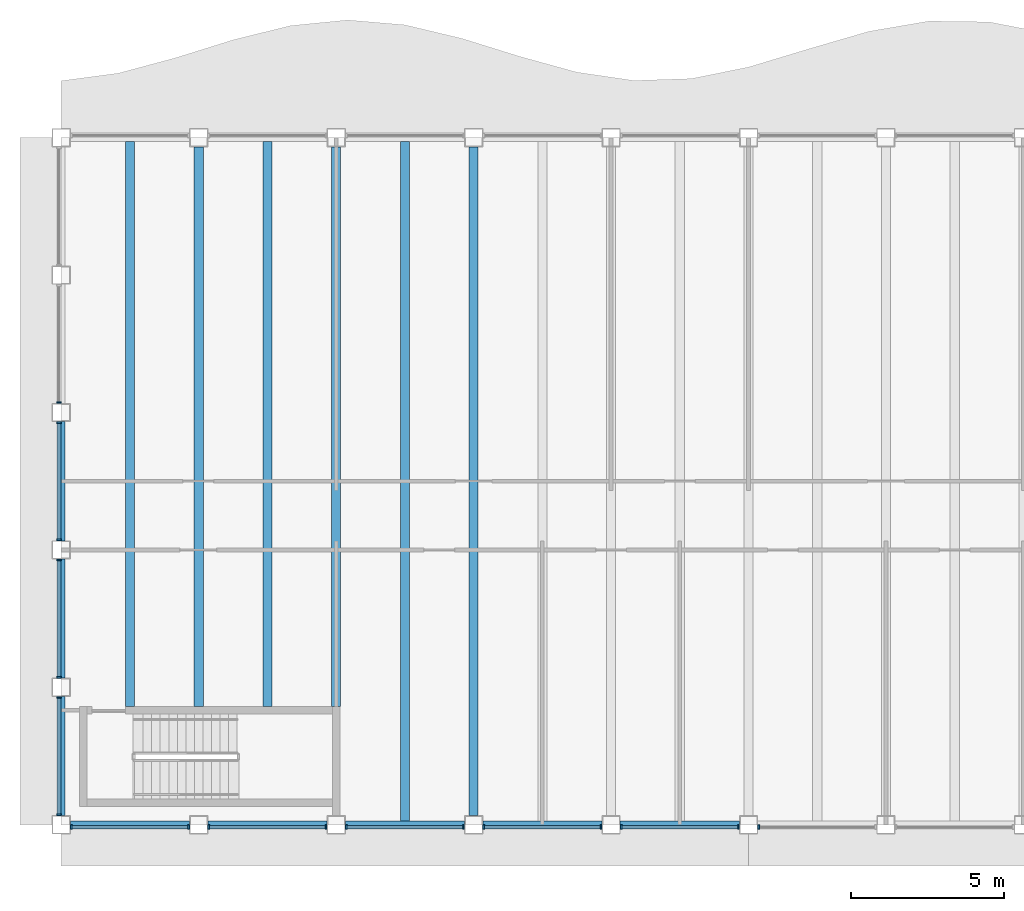
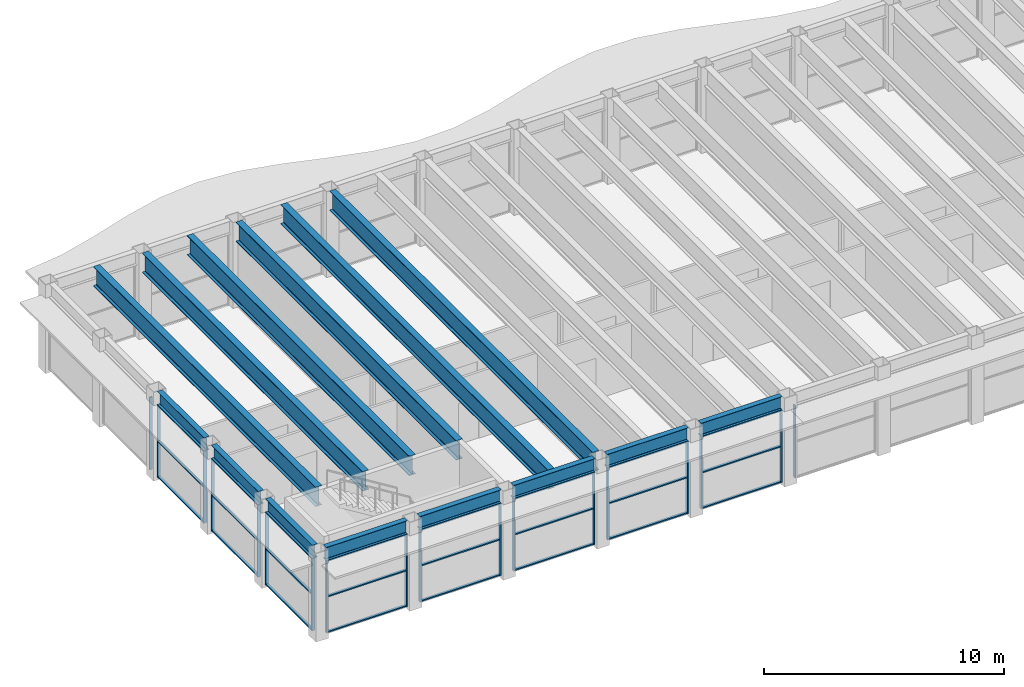
# One storey, part 2 of 14: 42 members, 14 beams, 10 elements without a shape of their own.
"""IFC4 building model written with IfcOpenShell, lengths in metres."""

from ifc_helpers import new_model, si_unit, direction, frame, origin, origin_2d, place, context, subcontext, project, spatial, rectangle, i_section, extrude, material, material_profile, profile_set, type_object, element, aggregate, save


model = new_model("IFC4")

# Units and contexts
model_context = context("Model", 3, precision=1e-05, world=origin(), true_north=direction((0.0, 1.0)))
body_context = subcontext(model_context, "Body", "Model", "MODEL_VIEW")
ifc_project = project(units=[si_unit("LENGTHUNIT", "METRE"), si_unit("AREAUNIT", "SQUARE_METRE"), si_unit("VOLUMEUNIT", "CUBIC_METRE"), si_unit("PLANEANGLEUNIT", "RADIAN"), si_unit("MASSUNIT", "GRAM", prefix="KILO")], contexts=[model_context])

# Site, building, storey
site_placement = place(None, origin())
site = spatial("IfcSite", under=ifc_project, at=site_placement, CompositionType="ELEMENT")
building_placement = place(site_placement, origin())
building = spatial("IfcBuilding", under=site, at=building_placement, Name="Sennacour Bend Tower", CompositionType="ELEMENT")
storey_placement = place(building_placement, frame((0.0, 0.0, 327.5)))
storey = spatial("IfcBuildingStorey", under=building, at=storey_placement, Name="L75", CompositionType="ELEMENT", Elevation=327.5)

# Curtain wall, members
ifc_material_1 = material(Name="Bronze anodised aluminium curtain wall with clear glass", Category="aluminium")
curtain_wall_type = type_object("IfcCurtainWallType", Name="CURTAIN WALL EXEC", PredefinedType="NOTDEFINED", material=ifc_material_1)
curtain_wall_1_placement = place(storey_placement, origin())
curtain_wall_1 = element("IfcCurtainWall", 1, at=curtain_wall_1_placement, inside=storey, type_object=curtain_wall_type, Name="Executive floor glass wall L75", PredefinedType="NOTDEFINED")
ifc_material_2 = material(Name="Aluminium 6063-T6", Category="aluminium")
ifc_material_profile_1 = material_profile(ifc_material_2, rectangle(XDim=0.14990234375, YDim=0.06005859375, at=origin_2d()), Name="Aluminium 6063-T6", Category="aluminium")
ifc_profile_set_1 = profile_set([ifc_material_profile_1], Name="Aluminium 6063-T6")
member_type_1 = type_object("IfcMemberType", Name="CW-MULLION-150X60", PredefinedType="MULLION", material=ifc_profile_set_1)
member_1_placement = place(storey_placement, frame((0.330078125, -0.074951171875, 0.0), z_axis=(0.0, 0.0, 1.0), x_axis=(0.0, 1.0, 0.0)))
member_1 = element("IfcMember", 2, at=member_1_placement, type_object=member_type_1, Name="GW3 curtain wall mullion 1", PredefinedType="MULLION", context=body_context, shape_type="SweptSolid", body=[
    extrude(rectangle(XDim=0.14990234375, YDim=0.06005859375, at=origin_2d()), origin(), (0.0, 0.0, 1.0), 3.672119140625),
])
member_2_placement = place(storey_placement, frame((4.169921875, -0.074951171875, 0.0), z_axis=(0.0, 0.0, 1.0), x_axis=(0.0, 1.0, 0.0)))
member_2 = element("IfcMember", 3, at=member_2_placement, type_object=member_type_1, Name="GW3 curtain wall mullion 2", PredefinedType="MULLION", context=body_context, shape_type="SweptSolid", body=[
    extrude(rectangle(XDim=0.14990234375, YDim=0.06005859375, at=origin_2d()), origin(), (0.0, 0.0, 1.0), 3.672119140625),
])

curtain_wall_2_placement = place(storey_placement, origin())
curtain_wall_2 = element("IfcCurtainWall", 4, at=curtain_wall_2_placement, inside=storey, type_object=curtain_wall_type, Name="Executive floor glass wall L75", PredefinedType="NOTDEFINED")
member_3_placement = place(storey_placement, frame((4.830078125, -0.074951171875, 0.0), z_axis=(0.0, 0.0, 1.0), x_axis=(0.0, 1.0, 0.0)))
member_3 = element("IfcMember", 5, at=member_3_placement, type_object=member_type_1, Name="GW3 curtain wall mullion 1", PredefinedType="MULLION", context=body_context, shape_type="SweptSolid", body=[
    extrude(rectangle(XDim=0.14990234375, YDim=0.06005859375, at=origin_2d()), origin(), (0.0, 0.0, 1.0), 3.672119140625),
])
member_4_placement = place(storey_placement, frame((8.669921875, -0.074951171875, 0.0), z_axis=(0.0, 0.0, 1.0), x_axis=(0.0, 1.0, 0.0)))
member_4 = element("IfcMember", 6, at=member_4_placement, type_object=member_type_1, Name="GW3 curtain wall mullion 2", PredefinedType="MULLION", context=body_context, shape_type="SweptSolid", body=[
    extrude(rectangle(XDim=0.14990234375, YDim=0.06005859375, at=origin_2d()), origin(), (0.0, 0.0, 1.0), 3.672119140625),
])

curtain_wall_3_placement = place(storey_placement, origin())
curtain_wall_3 = element("IfcCurtainWall", 7, at=curtain_wall_3_placement, inside=storey, type_object=curtain_wall_type, Name="Executive floor glass wall L75", PredefinedType="NOTDEFINED")
member_5_placement = place(storey_placement, frame((9.330078125, -0.074951171875, 0.0), z_axis=(0.0, 0.0, 1.0), x_axis=(0.0, 1.0, 0.0)))
member_5 = element("IfcMember", 8, at=member_5_placement, type_object=member_type_1, Name="GW3 curtain wall mullion 1", PredefinedType="MULLION", context=body_context, shape_type="SweptSolid", body=[
    extrude(rectangle(XDim=0.14990234375, YDim=0.06005859375, at=origin_2d()), origin(), (0.0, 0.0, 1.0), 3.672119140625),
])
member_6_placement = place(storey_placement, frame((13.169921875, -0.074951171875, 0.0), z_axis=(0.0, 0.0, 1.0), x_axis=(0.0, 1.0, 0.0)))
member_6 = element("IfcMember", 9, at=member_6_placement, type_object=member_type_1, Name="GW3 curtain wall mullion 2", PredefinedType="MULLION", context=body_context, shape_type="SweptSolid", body=[
    extrude(rectangle(XDim=0.14990234375, YDim=0.06005859375, at=origin_2d()), origin(), (0.0, 0.0, 1.0), 3.672119140625),
])

curtain_wall_4_placement = place(storey_placement, origin())
curtain_wall_4 = element("IfcCurtainWall", 10, at=curtain_wall_4_placement, inside=storey, type_object=curtain_wall_type, Name="Executive floor glass wall L75", PredefinedType="NOTDEFINED")
member_7_placement = place(storey_placement, frame((13.830078125, -0.074951171875, 0.0), z_axis=(0.0, 0.0, 1.0), x_axis=(0.0, 1.0, 0.0)))
member_7 = element("IfcMember", 11, at=member_7_placement, type_object=member_type_1, Name="GW3 curtain wall mullion 1", PredefinedType="MULLION", context=body_context, shape_type="SweptSolid", body=[
    extrude(rectangle(XDim=0.14990234375, YDim=0.06005859375, at=origin_2d()), origin(), (0.0, 0.0, 1.0), 3.672119140625),
])
member_8_placement = place(storey_placement, frame((17.669921875, -0.074951171875, 0.0), z_axis=(0.0, 0.0, 1.0), x_axis=(0.0, 1.0, 0.0)))
member_8 = element("IfcMember", 12, at=member_8_placement, type_object=member_type_1, Name="GW3 curtain wall mullion 2", PredefinedType="MULLION", context=body_context, shape_type="SweptSolid", body=[
    extrude(rectangle(XDim=0.14990234375, YDim=0.06005859375, at=origin_2d()), origin(), (0.0, 0.0, 1.0), 3.672119140625),
])

curtain_wall_5_placement = place(storey_placement, origin())
curtain_wall_5 = element("IfcCurtainWall", 13, at=curtain_wall_5_placement, inside=storey, type_object=curtain_wall_type, Name="Executive floor glass wall L75", PredefinedType="NOTDEFINED")
member_9_placement = place(storey_placement, frame((18.330078125, -0.074951171875, 0.0), z_axis=(0.0, 0.0, 1.0), x_axis=(0.0, 1.0, 0.0)))
member_9 = element("IfcMember", 14, at=member_9_placement, type_object=member_type_1, Name="GW3 curtain wall mullion 1", PredefinedType="MULLION", context=body_context, shape_type="SweptSolid", body=[
    extrude(rectangle(XDim=0.14990234375, YDim=0.06005859375, at=origin_2d()), origin(), (0.0, 0.0, 1.0), 3.672119140625),
])
member_10_placement = place(storey_placement, frame((22.169921875, -0.074951171875, 0.0), z_axis=(0.0, 0.0, 1.0), x_axis=(0.0, 1.0, 0.0)))
member_10 = element("IfcMember", 15, at=member_10_placement, type_object=member_type_1, Name="GW3 curtain wall mullion 2", PredefinedType="MULLION", context=body_context, shape_type="SweptSolid", body=[
    extrude(rectangle(XDim=0.14990234375, YDim=0.06005859375, at=origin_2d()), origin(), (0.0, 0.0, 1.0), 3.672119140625),
])

# Curtain wall, member
curtain_wall_6_placement = place(storey_placement, origin())
curtain_wall_6 = element("IfcCurtainWall", 16, at=curtain_wall_6_placement, inside=storey, type_object=curtain_wall_type, Name="Executive floor glass wall L75", PredefinedType="NOTDEFINED")
member_11_placement = place(storey_placement, frame((22.830078125, -0.074951171875, 0.0), z_axis=(0.0, 0.0, 1.0), x_axis=(0.0, 1.0, 0.0)))
member_11 = element("IfcMember", 17, at=member_11_placement, type_object=member_type_1, Name="GW3 curtain wall mullion 1", PredefinedType="MULLION", context=body_context, shape_type="SweptSolid", body=[
    extrude(rectangle(XDim=0.14990234375, YDim=0.06005859375, at=origin_2d()), origin(), (0.0, 0.0, 1.0), 3.672119140625),
])
aggregate(curtain_wall_6, [member_11])

curtain_wall_7_placement = place(storey_placement, origin())
curtain_wall_7 = element("IfcCurtainWall", 18, at=curtain_wall_7_placement, inside=storey, type_object=curtain_wall_type, Name="Executive floor glass wall L75", PredefinedType="NOTDEFINED")
member_12_placement = place(storey_placement, frame((-0.074951171875, 13.830078125, 0.0), z_axis=(0.0, 0.0, 1.0), x_axis=(1.0, 0.0, 0.0)))
member_12 = element("IfcMember", 19, at=member_12_placement, type_object=member_type_1, Name="GW3 curtain wall mullion 2", PredefinedType="MULLION", context=body_context, shape_type="SweptSolid", body=[
    extrude(rectangle(XDim=0.14990234375, YDim=0.06005859375, at=origin_2d()), origin(), (0.0, 0.0, 1.0), 3.672119140625),
])
aggregate(curtain_wall_7, [member_12])

# Curtain wall, members
curtain_wall_8_placement = place(storey_placement, origin())
curtain_wall_8 = element("IfcCurtainWall", 20, at=curtain_wall_8_placement, inside=storey, type_object=curtain_wall_type, Name="Executive floor glass wall L75", PredefinedType="NOTDEFINED")
member_13_placement = place(storey_placement, frame((-0.074951171875, 13.169921875, 0.0), z_axis=(0.0, 0.0, 1.0), x_axis=(1.0, 0.0, 0.0)))
member_13 = element("IfcMember", 21, at=member_13_placement, type_object=member_type_1, Name="GW3 curtain wall mullion 1", PredefinedType="MULLION", context=body_context, shape_type="SweptSolid", body=[
    extrude(rectangle(XDim=0.14990234375, YDim=0.06005859375, at=origin_2d()), origin(), (0.0, 0.0, 1.0), 3.672119140625),
])
member_14_placement = place(storey_placement, frame((-0.074951171875, 9.330078125, 0.0), z_axis=(0.0, 0.0, 1.0), x_axis=(1.0, 0.0, 0.0)))
member_14 = element("IfcMember", 22, at=member_14_placement, type_object=member_type_1, Name="GW3 curtain wall mullion 2", PredefinedType="MULLION", context=body_context, shape_type="SweptSolid", body=[
    extrude(rectangle(XDim=0.14990234375, YDim=0.06005859375, at=origin_2d()), origin(), (0.0, 0.0, 1.0), 3.672119140625),
])

curtain_wall_9_placement = place(storey_placement, origin())
curtain_wall_9 = element("IfcCurtainWall", 23, at=curtain_wall_9_placement, inside=storey, type_object=curtain_wall_type, Name="Executive floor glass wall L75", PredefinedType="NOTDEFINED")
member_15_placement = place(storey_placement, frame((-0.074951171875, 8.669921875, 0.0), z_axis=(0.0, 0.0, 1.0), x_axis=(1.0, 0.0, 0.0)))
member_15 = element("IfcMember", 24, at=member_15_placement, type_object=member_type_1, Name="GW3 curtain wall mullion 1", PredefinedType="MULLION", context=body_context, shape_type="SweptSolid", body=[
    extrude(rectangle(XDim=0.14990234375, YDim=0.06005859375, at=origin_2d()), origin(), (0.0, 0.0, 1.0), 3.672119140625),
])
member_16_placement = place(storey_placement, frame((-0.074951171875, 4.830078125, 0.0), z_axis=(0.0, 0.0, 1.0), x_axis=(1.0, 0.0, 0.0)))
member_16 = element("IfcMember", 25, at=member_16_placement, type_object=member_type_1, Name="GW3 curtain wall mullion 2", PredefinedType="MULLION", context=body_context, shape_type="SweptSolid", body=[
    extrude(rectangle(XDim=0.14990234375, YDim=0.06005859375, at=origin_2d()), origin(), (0.0, 0.0, 1.0), 3.672119140625),
])

curtain_wall_10_placement = place(storey_placement, origin())
curtain_wall_10 = element("IfcCurtainWall", 26, at=curtain_wall_10_placement, inside=storey, type_object=curtain_wall_type, Name="Executive floor glass wall L75", PredefinedType="NOTDEFINED")
member_17_placement = place(storey_placement, frame((-0.074951171875, 4.169921875, 0.0), z_axis=(0.0, 0.0, 1.0), x_axis=(1.0, 0.0, 0.0)))
member_17 = element("IfcMember", 27, at=member_17_placement, type_object=member_type_1, Name="GW3 curtain wall mullion 1", PredefinedType="MULLION", context=body_context, shape_type="SweptSolid", body=[
    extrude(rectangle(XDim=0.14990234375, YDim=0.06005859375, at=origin_2d()), origin(), (0.0, 0.0, 1.0), 3.672119140625),
])
member_18_placement = place(storey_placement, frame((-0.074951171875, 0.330078125, 0.0), z_axis=(0.0, 0.0, 1.0), x_axis=(1.0, 0.0, 0.0)))
member_18 = element("IfcMember", 28, at=member_18_placement, type_object=member_type_1, Name="GW3 curtain wall mullion 2", PredefinedType="MULLION", context=body_context, shape_type="SweptSolid", body=[
    extrude(rectangle(XDim=0.14990234375, YDim=0.06005859375, at=origin_2d()), origin(), (0.0, 0.0, 1.0), 3.672119140625),
])

# Member
ifc_material_profile_2 = material_profile(ifc_material_2, rectangle(XDim=0.1201171875, YDim=0.06005859375, at=origin_2d()), Name="Aluminium 6063-T6", Category="aluminium")
ifc_profile_set_2 = profile_set([ifc_material_profile_2], Name="Aluminium 6063-T6")
member_type_2 = type_object("IfcMemberType", Name="CW-TRANSOM-120X60", PredefinedType="USERDEFINED", material=ifc_profile_set_2)
member_19_placement = place(storey_placement, frame((0.360107421875, -0.074951171875, 0.030029296875), z_axis=(1.0, 0.0, 0.0), x_axis=(0.0, 1.0, 0.0)))
member_19 = element("IfcMember", 29, at=member_19_placement, type_object=member_type_2, Name="GW3 curtain wall transom 1.1", ObjectType="TRANSOM", PredefinedType="USERDEFINED", context=body_context, shape_type="SweptSolid", body=[
    extrude(rectangle(XDim=0.1201171875, YDim=0.06005859375, at=origin_2d()), origin(), (0.0, 0.0, 1.0), 3.77978515625),
])

member_20_placement = place(storey_placement, frame((0.360107421875, -0.074951171875, 1.8359375), z_axis=(1.0, 0.0, 0.0), x_axis=(0.0, 1.0, 0.0)))
member_20 = element("IfcMember", 30, at=member_20_placement, type_object=member_type_2, Name="GW3 curtain wall transom 1.2", ObjectType="TRANSOM", PredefinedType="USERDEFINED", context=body_context, shape_type="SweptSolid", body=[
    extrude(rectangle(XDim=0.1201171875, YDim=0.06005859375, at=origin_2d()), origin(), (0.0, 0.0, 1.0), 3.77978515625),
])

member_21_placement = place(storey_placement, frame((0.360107421875, -0.074951171875, 3.64208984375), z_axis=(1.0, 0.0, 0.0), x_axis=(0.0, 1.0, 0.0)))
member_21 = element("IfcMember", 31, at=member_21_placement, type_object=member_type_2, Name="GW3 curtain wall transom 1.3", ObjectType="TRANSOM", PredefinedType="USERDEFINED", context=body_context, shape_type="SweptSolid", body=[
    extrude(rectangle(XDim=0.1201171875, YDim=0.06005859375, at=origin_2d()), origin(), (0.0, 0.0, 1.0), 3.77978515625),
])

aggregate(curtain_wall_1, [member_1, member_2, member_19, member_20, member_21])

member_22_placement = place(storey_placement, frame((4.860107421875, -0.074951171875, 0.030029296875), z_axis=(1.0, 0.0, 0.0), x_axis=(0.0, 1.0, 0.0)))
member_22 = element("IfcMember", 32, at=member_22_placement, type_object=member_type_2, Name="GW3 curtain wall transom 1.1", ObjectType="TRANSOM", PredefinedType="USERDEFINED", context=body_context, shape_type="SweptSolid", body=[
    extrude(rectangle(XDim=0.1201171875, YDim=0.06005859375, at=origin_2d()), origin(), (0.0, 0.0, 1.0), 3.77978515625),
])

member_23_placement = place(storey_placement, frame((4.860107421875, -0.074951171875, 1.8359375), z_axis=(1.0, 0.0, 0.0), x_axis=(0.0, 1.0, 0.0)))
member_23 = element("IfcMember", 33, at=member_23_placement, type_object=member_type_2, Name="GW3 curtain wall transom 1.2", ObjectType="TRANSOM", PredefinedType="USERDEFINED", context=body_context, shape_type="SweptSolid", body=[
    extrude(rectangle(XDim=0.1201171875, YDim=0.06005859375, at=origin_2d()), origin(), (0.0, 0.0, 1.0), 3.77978515625),
])

member_24_placement = place(storey_placement, frame((4.860107421875, -0.074951171875, 3.64208984375), z_axis=(1.0, 0.0, 0.0), x_axis=(0.0, 1.0, 0.0)))
member_24 = element("IfcMember", 34, at=member_24_placement, type_object=member_type_2, Name="GW3 curtain wall transom 1.3", ObjectType="TRANSOM", PredefinedType="USERDEFINED", context=body_context, shape_type="SweptSolid", body=[
    extrude(rectangle(XDim=0.1201171875, YDim=0.06005859375, at=origin_2d()), origin(), (0.0, 0.0, 1.0), 3.77978515625),
])

aggregate(curtain_wall_2, [member_3, member_4, member_22, member_23, member_24])

member_25_placement = place(storey_placement, frame((9.360107421875, -0.074951171875, 0.030029296875), z_axis=(1.0, 0.0, 0.0), x_axis=(0.0, 1.0, 0.0)))
member_25 = element("IfcMember", 35, at=member_25_placement, type_object=member_type_2, Name="GW3 curtain wall transom 1.1", ObjectType="TRANSOM", PredefinedType="USERDEFINED", context=body_context, shape_type="SweptSolid", body=[
    extrude(rectangle(XDim=0.1201171875, YDim=0.06005859375, at=origin_2d()), origin(), (0.0, 0.0, 1.0), 3.77978515625),
])

member_26_placement = place(storey_placement, frame((9.360107421875, -0.074951171875, 1.8359375), z_axis=(1.0, 0.0, 0.0), x_axis=(0.0, 1.0, 0.0)))
member_26 = element("IfcMember", 36, at=member_26_placement, type_object=member_type_2, Name="GW3 curtain wall transom 1.2", ObjectType="TRANSOM", PredefinedType="USERDEFINED", context=body_context, shape_type="SweptSolid", body=[
    extrude(rectangle(XDim=0.1201171875, YDim=0.06005859375, at=origin_2d()), origin(), (0.0, 0.0, 1.0), 3.77978515625),
])

member_27_placement = place(storey_placement, frame((9.360107421875, -0.074951171875, 3.64208984375), z_axis=(1.0, 0.0, 0.0), x_axis=(0.0, 1.0, 0.0)))
member_27 = element("IfcMember", 37, at=member_27_placement, type_object=member_type_2, Name="GW3 curtain wall transom 1.3", ObjectType="TRANSOM", PredefinedType="USERDEFINED", context=body_context, shape_type="SweptSolid", body=[
    extrude(rectangle(XDim=0.1201171875, YDim=0.06005859375, at=origin_2d()), origin(), (0.0, 0.0, 1.0), 3.77978515625),
])

aggregate(curtain_wall_3, [member_5, member_6, member_25, member_26, member_27])

member_28_placement = place(storey_placement, frame((13.860107421875, -0.074951171875, 0.030029296875), z_axis=(1.0, 0.0, 0.0), x_axis=(0.0, 1.0, 0.0)))
member_28 = element("IfcMember", 38, at=member_28_placement, type_object=member_type_2, Name="GW3 curtain wall transom 1.1", ObjectType="TRANSOM", PredefinedType="USERDEFINED", context=body_context, shape_type="SweptSolid", body=[
    extrude(rectangle(XDim=0.1201171875, YDim=0.06005859375, at=origin_2d()), origin(), (0.0, 0.0, 1.0), 3.77978515625),
])

member_29_placement = place(storey_placement, frame((13.860107421875, -0.074951171875, 1.8359375), z_axis=(1.0, 0.0, 0.0), x_axis=(0.0, 1.0, 0.0)))
member_29 = element("IfcMember", 39, at=member_29_placement, type_object=member_type_2, Name="GW3 curtain wall transom 1.2", ObjectType="TRANSOM", PredefinedType="USERDEFINED", context=body_context, shape_type="SweptSolid", body=[
    extrude(rectangle(XDim=0.1201171875, YDim=0.06005859375, at=origin_2d()), origin(), (0.0, 0.0, 1.0), 3.77978515625),
])

member_30_placement = place(storey_placement, frame((13.860107421875, -0.074951171875, 3.64208984375), z_axis=(1.0, 0.0, 0.0), x_axis=(0.0, 1.0, 0.0)))
member_30 = element("IfcMember", 40, at=member_30_placement, type_object=member_type_2, Name="GW3 curtain wall transom 1.3", ObjectType="TRANSOM", PredefinedType="USERDEFINED", context=body_context, shape_type="SweptSolid", body=[
    extrude(rectangle(XDim=0.1201171875, YDim=0.06005859375, at=origin_2d()), origin(), (0.0, 0.0, 1.0), 3.77978515625),
])

aggregate(curtain_wall_4, [member_7, member_8, member_28, member_29, member_30])

member_31_placement = place(storey_placement, frame((18.360107421875, -0.074951171875, 0.030029296875), z_axis=(1.0, 0.0, 0.0), x_axis=(0.0, 1.0, 0.0)))
member_31 = element("IfcMember", 41, at=member_31_placement, type_object=member_type_2, Name="GW3 curtain wall transom 1.1", ObjectType="TRANSOM", PredefinedType="USERDEFINED", context=body_context, shape_type="SweptSolid", body=[
    extrude(rectangle(XDim=0.1201171875, YDim=0.06005859375, at=origin_2d()), origin(), (0.0, 0.0, 1.0), 3.77978515625),
])

member_32_placement = place(storey_placement, frame((18.360107421875, -0.074951171875, 1.8359375), z_axis=(1.0, 0.0, 0.0), x_axis=(0.0, 1.0, 0.0)))
member_32 = element("IfcMember", 42, at=member_32_placement, type_object=member_type_2, Name="GW3 curtain wall transom 1.2", ObjectType="TRANSOM", PredefinedType="USERDEFINED", context=body_context, shape_type="SweptSolid", body=[
    extrude(rectangle(XDim=0.1201171875, YDim=0.06005859375, at=origin_2d()), origin(), (0.0, 0.0, 1.0), 3.77978515625),
])

member_33_placement = place(storey_placement, frame((18.360107421875, -0.074951171875, 3.64208984375), z_axis=(1.0, 0.0, 0.0), x_axis=(0.0, 1.0, 0.0)))
member_33 = element("IfcMember", 43, at=member_33_placement, type_object=member_type_2, Name="GW3 curtain wall transom 1.3", ObjectType="TRANSOM", PredefinedType="USERDEFINED", context=body_context, shape_type="SweptSolid", body=[
    extrude(rectangle(XDim=0.1201171875, YDim=0.06005859375, at=origin_2d()), origin(), (0.0, 0.0, 1.0), 3.77978515625),
])

aggregate(curtain_wall_5, [member_9, member_10, member_31, member_32, member_33])

member_34_placement = place(storey_placement, frame((-0.074951171875, 13.139892578125, 0.030029296875), z_axis=(0.0, -1.0, 0.0), x_axis=(1.0, 0.0, 0.0)))
member_34 = element("IfcMember", 44, at=member_34_placement, type_object=member_type_2, Name="GW3 curtain wall transom 1.1", ObjectType="TRANSOM", PredefinedType="USERDEFINED", context=body_context, shape_type="SweptSolid", body=[
    extrude(rectangle(XDim=0.1201171875, YDim=0.06005859375, at=origin_2d()), origin(), (0.0, 0.0, 1.0), 3.77978515625),
])

member_35_placement = place(storey_placement, frame((-0.074951171875, 13.139892578125, 1.8359375), z_axis=(0.0, -1.0, 0.0), x_axis=(1.0, 0.0, 0.0)))
member_35 = element("IfcMember", 45, at=member_35_placement, type_object=member_type_2, Name="GW3 curtain wall transom 1.2", ObjectType="TRANSOM", PredefinedType="USERDEFINED", context=body_context, shape_type="SweptSolid", body=[
    extrude(rectangle(XDim=0.1201171875, YDim=0.06005859375, at=origin_2d()), origin(), (0.0, 0.0, 1.0), 3.77978515625),
])

member_36_placement = place(storey_placement, frame((-0.074951171875, 13.139892578125, 3.64208984375), z_axis=(0.0, -1.0, 0.0), x_axis=(1.0, 0.0, 0.0)))
member_36 = element("IfcMember", 46, at=member_36_placement, type_object=member_type_2, Name="GW3 curtain wall transom 1.3", ObjectType="TRANSOM", PredefinedType="USERDEFINED", context=body_context, shape_type="SweptSolid", body=[
    extrude(rectangle(XDim=0.1201171875, YDim=0.06005859375, at=origin_2d()), origin(), (0.0, 0.0, 1.0), 3.77978515625),
])

aggregate(curtain_wall_8, [member_13, member_14, member_34, member_35, member_36])

member_37_placement = place(storey_placement, frame((-0.074951171875, 8.639892578125, 0.030029296875), z_axis=(0.0, -1.0, 0.0), x_axis=(1.0, 0.0, 0.0)))
member_37 = element("IfcMember", 47, at=member_37_placement, type_object=member_type_2, Name="GW3 curtain wall transom 1.1", ObjectType="TRANSOM", PredefinedType="USERDEFINED", context=body_context, shape_type="SweptSolid", body=[
    extrude(rectangle(XDim=0.1201171875, YDim=0.06005859375, at=origin_2d()), origin(), (0.0, 0.0, 1.0), 3.77978515625),
])

member_38_placement = place(storey_placement, frame((-0.074951171875, 8.639892578125, 1.8359375), z_axis=(0.0, -1.0, 0.0), x_axis=(1.0, 0.0, 0.0)))
member_38 = element("IfcMember", 48, at=member_38_placement, type_object=member_type_2, Name="GW3 curtain wall transom 1.2", ObjectType="TRANSOM", PredefinedType="USERDEFINED", context=body_context, shape_type="SweptSolid", body=[
    extrude(rectangle(XDim=0.1201171875, YDim=0.06005859375, at=origin_2d()), origin(), (0.0, 0.0, 1.0), 3.77978515625),
])

member_39_placement = place(storey_placement, frame((-0.074951171875, 8.639892578125, 3.64208984375), z_axis=(0.0, -1.0, 0.0), x_axis=(1.0, 0.0, 0.0)))
member_39 = element("IfcMember", 49, at=member_39_placement, type_object=member_type_2, Name="GW3 curtain wall transom 1.3", ObjectType="TRANSOM", PredefinedType="USERDEFINED", context=body_context, shape_type="SweptSolid", body=[
    extrude(rectangle(XDim=0.1201171875, YDim=0.06005859375, at=origin_2d()), origin(), (0.0, 0.0, 1.0), 3.77978515625),
])

aggregate(curtain_wall_9, [member_15, member_16, member_37, member_38, member_39])

member_40_placement = place(storey_placement, frame((-0.074951171875, 4.139892578125, 0.030029296875), z_axis=(0.0, -1.0, 0.0), x_axis=(1.0, 0.0, 0.0)))
member_40 = element("IfcMember", 50, at=member_40_placement, type_object=member_type_2, Name="GW3 curtain wall transom 1.1", ObjectType="TRANSOM", PredefinedType="USERDEFINED", context=body_context, shape_type="SweptSolid", body=[
    extrude(rectangle(XDim=0.1201171875, YDim=0.06005859375, at=origin_2d()), origin(), (0.0, 0.0, 1.0), 3.77978515625),
])

member_41_placement = place(storey_placement, frame((-0.074951171875, 4.139892578125, 1.8359375), z_axis=(0.0, -1.0, 0.0), x_axis=(1.0, 0.0, 0.0)))
member_41 = element("IfcMember", 51, at=member_41_placement, type_object=member_type_2, Name="GW3 curtain wall transom 1.2", ObjectType="TRANSOM", PredefinedType="USERDEFINED", context=body_context, shape_type="SweptSolid", body=[
    extrude(rectangle(XDim=0.1201171875, YDim=0.06005859375, at=origin_2d()), origin(), (0.0, 0.0, 1.0), 3.77978515625),
])

member_42_placement = place(storey_placement, frame((-0.074951171875, 4.139892578125, 3.64208984375), z_axis=(0.0, -1.0, 0.0), x_axis=(1.0, 0.0, 0.0)))
member_42 = element("IfcMember", 52, at=member_42_placement, type_object=member_type_2, Name="GW3 curtain wall transom 1.3", ObjectType="TRANSOM", PredefinedType="USERDEFINED", context=body_context, shape_type="SweptSolid", body=[
    extrude(rectangle(XDim=0.1201171875, YDim=0.06005859375, at=origin_2d()), origin(), (0.0, 0.0, 1.0), 3.77978515625),
])

aggregate(curtain_wall_10, [member_17, member_18, member_40, member_41, member_42])

# Beams
ifc_material_3 = material(Name="Steel ASTM A992 Grade 50", Category="steel")
ifc_material_profile_3 = material_profile(ifc_material_3, i_section(OverallWidth=0.300048828125, OverallDepth=0.990966796875, WebThickness=0.0166015625, FlangeThickness=0.030517578125, FilletRadius=0.030029296875, at=origin_2d()), Name="Steel ASTM A992 Grade 50", Category="steel")
ifc_profile_set_3 = profile_set([ifc_material_profile_3], Name="Steel ASTM A992 Grade 50")
beam_type_1 = type_object("IfcBeamType", Name="Floor beam W1000X272", PredefinedType="BEAM", material=ifc_profile_set_3)
beam_1_placement = place(storey_placement, frame((2.25, 3.875, 3.8544921875), z_axis=(0.0, 1.0, 0.0), x_axis=(-1.0, 0.0, 0.0)))
element("IfcBeam", 53, at=beam_1_placement, inside=storey, type_object=beam_type_1, Name="Floor beam FBM3 L76-001", PredefinedType="BEAM", context=body_context, shape_type="SweptSolid", body=[
    extrude(i_section(OverallWidth=0.300048828125, OverallDepth=0.990966796875, WebThickness=0.0166015625, FlangeThickness=0.030517578125, FilletRadius=0.030029296875, at=origin_2d()), origin(), (0.0, 0.0, 1.0), 18.498046875),
])
beam_2_placement = place(storey_placement, frame((4.5, 3.875, 3.8544921875), z_axis=(0.0, 1.0, 0.0), x_axis=(-1.0, 0.0, 0.0)))
element("IfcBeam", 54, at=beam_2_placement, inside=storey, type_object=beam_type_1, Name="Floor beam FBM3 L76-002", PredefinedType="BEAM", context=body_context, shape_type="SweptSolid", body=[
    extrude(i_section(OverallWidth=0.300048828125, OverallDepth=0.990966796875, WebThickness=0.0166015625, FlangeThickness=0.030517578125, FilletRadius=0.030029296875, at=origin_2d()), origin(), (0.0, 0.0, 1.0), 18.324951171875),
])
beam_3_placement = place(storey_placement, frame((6.75, 3.875, 3.8544921875), z_axis=(0.0, 1.0, 0.0), x_axis=(-1.0, 0.0, 0.0)))
element("IfcBeam", 55, at=beam_3_placement, inside=storey, type_object=beam_type_1, Name="Floor beam FBM3 L76-003", PredefinedType="BEAM", context=body_context, shape_type="SweptSolid", body=[
    extrude(i_section(OverallWidth=0.300048828125, OverallDepth=0.990966796875, WebThickness=0.0166015625, FlangeThickness=0.030517578125, FilletRadius=0.030029296875, at=origin_2d()), origin(), (0.0, 0.0, 1.0), 18.498046875),
])
beam_4_placement = place(storey_placement, frame((9.0, 3.875, 3.8544921875), z_axis=(0.0, 1.0, 0.0), x_axis=(-1.0, 0.0, 0.0)))
element("IfcBeam", 56, at=beam_4_placement, inside=storey, type_object=beam_type_1, Name="Floor beam FBM3 L76-004", PredefinedType="BEAM", context=body_context, shape_type="SweptSolid", body=[
    extrude(i_section(OverallWidth=0.300048828125, OverallDepth=0.990966796875, WebThickness=0.0166015625, FlangeThickness=0.030517578125, FilletRadius=0.030029296875, at=origin_2d()), origin(), (0.0, 0.0, 1.0), 18.324951171875),
])
beam_5_placement = place(storey_placement, frame((11.25, 0.126953125, 3.8544921875), z_axis=(0.0, 1.0, 0.0), x_axis=(-1.0, 0.0, 0.0)))
element("IfcBeam", 57, at=beam_5_placement, inside=storey, type_object=beam_type_1, Name="Floor beam FBM3 L76-005", PredefinedType="BEAM", context=body_context, shape_type="SweptSolid", body=[
    extrude(i_section(OverallWidth=0.300048828125, OverallDepth=0.990966796875, WebThickness=0.0166015625, FlangeThickness=0.030517578125, FilletRadius=0.030029296875, at=origin_2d()), origin(), (0.0, 0.0, 1.0), 22.24609375),
])
beam_6_placement = place(storey_placement, frame((13.5, 0.300048828125, 3.8544921875), z_axis=(0.0, 1.0, 0.0), x_axis=(-1.0, 0.0, 0.0)))
element("IfcBeam", 58, at=beam_6_placement, inside=storey, type_object=beam_type_1, Name="Floor beam FBM3 L76-006", PredefinedType="BEAM", context=body_context, shape_type="SweptSolid", body=[
    extrude(i_section(OverallWidth=0.300048828125, OverallDepth=0.990966796875, WebThickness=0.0166015625, FlangeThickness=0.030517578125, FilletRadius=0.030029296875, at=origin_2d()), origin(), (0.0, 0.0, 1.0), 21.89990234375),
])
ifc_material_profile_4 = material_profile(ifc_material_3, i_section(OverallWidth=0.25390625, OverallDepth=0.677978515625, WebThickness=0.01171875, FlangeThickness=0.016357421875, FilletRadius=0.01513671875, at=origin_2d()), Name="Steel ASTM A992 Grade 50", Category="steel")
ifc_profile_set_4 = profile_set([ifc_material_profile_4], Name="Steel ASTM A992 Grade 50")
beam_type_2 = type_object("IfcBeamType", Name="Spandrel beam W690X125", PredefinedType="SPANDREL", material=ifc_profile_set_4)
for number, where, z_axis, x_axis, name in (
    (59, (0.0, 0.300048828125, 4.010986328125), (0.0, 1.0, 0.0), (-1.0, 0.0, 0.0), "Spandrel beam SP7 L76-001"),
    (60, (0.0, 4.800048828125, 4.010986328125), (0.0, 1.0, 0.0), (-1.0, 0.0, 0.0), "Spandrel beam SP7 L76-002"),
    (61, (0.0, 9.300048828125, 4.010986328125), (0.0, 1.0, 0.0), (-1.0, 0.0, 0.0), "Spandrel beam SP7 L76-003"),
    (62, (22.199951171875, 0.0, 4.010986328125), (-1.0, 0.0, 0.0), (0.0, -1.0, 0.0), "Spandrel beam SP7 L76-025"),
    (63, (17.699951171875, 0.0, 4.010986328125), (-1.0, 0.0, 0.0), (0.0, -1.0, 0.0), "Spandrel beam SP7 L76-026"),
    (64, (13.199951171875, 0.0, 4.010986328125), (-1.0, 0.0, 0.0), (0.0, -1.0, 0.0), "Spandrel beam SP7 L76-027"),
    (65, (8.699951171875, 0.0, 4.010986328125), (-1.0, 0.0, 0.0), (0.0, -1.0, 0.0), "Spandrel beam SP7 L76-028"),
    (66, (4.199951171875, 0.0, 4.010986328125), (-1.0, 0.0, 0.0), (0.0, -1.0, 0.0), "Spandrel beam SP7 L76-029"),
):
    element("IfcBeam", number, at=place(storey_placement, frame(where, z_axis=z_axis, x_axis=x_axis)), inside=storey, type_object=beam_type_2, Name=name, PredefinedType="SPANDREL", context=body_context, shape_type="SweptSolid", body=[
        extrude(i_section(OverallWidth=0.25390625, OverallDepth=0.677978515625, WebThickness=0.01171875, FlangeThickness=0.016357421875, FilletRadius=0.01513671875, at=origin_2d()), origin(), (0.0, 0.0, 1.0), 3.89990234375),
    ])

save(model, "model.ifc")
